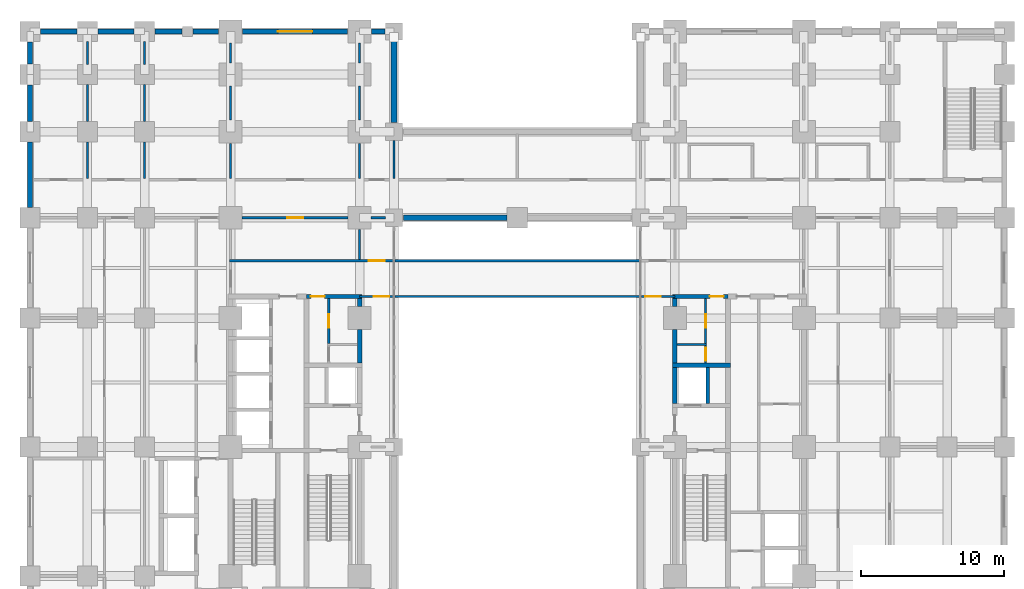
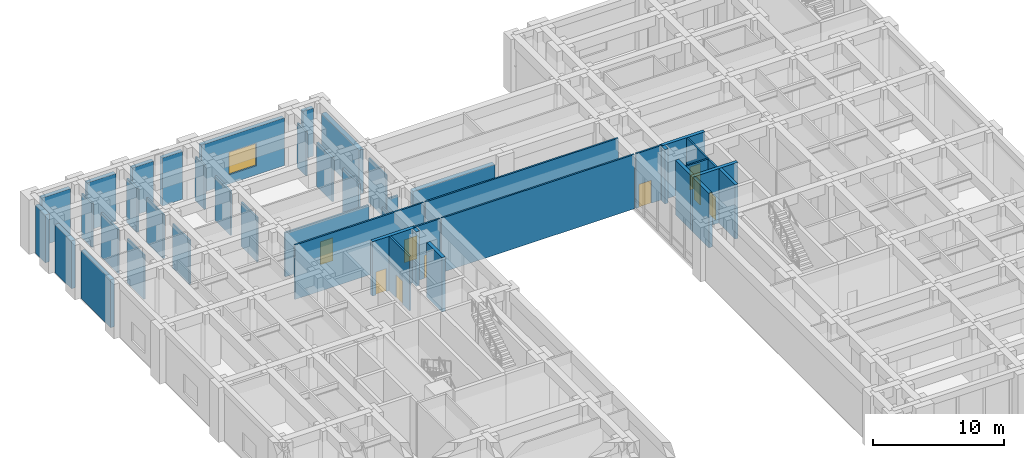
# One storey, part 12 of 21: 45 walls, 9 doors, 1 window, 10 openings.
"""IFC4 building model written with IfcOpenShell, lengths in metres."""

from ifc_helpers import new_model, si_unit, direction, frame, frame_2d, origin, place, context, subcontext, project, spatial, rectangle, extrude, material, layer, layer_set, type_object, element, fill, save


model = new_model("IFC4")

# Units and contexts
model_context = context("Model", 3, precision=1e-05, world=origin(), true_north=direction((0.0, 1.0)))
body_context = subcontext(model_context, "Body", "Model", "MODEL_VIEW")
ifc_project = project(units=[si_unit("LENGTHUNIT", "METRE"), si_unit("AREAUNIT", "SQUARE_METRE"), si_unit("VOLUMEUNIT", "CUBIC_METRE"), si_unit("PLANEANGLEUNIT", "RADIAN"), si_unit("MASSUNIT", "GRAM", prefix="KILO")], contexts=[model_context])

# Site, building, storey
site_placement = place(None, origin())
site = spatial("IfcSite", under=ifc_project, at=site_placement, CompositionType="ELEMENT")
building_placement = place(site_placement, origin())
building = spatial("IfcBuilding", under=site, at=building_placement, Name="Zulmaris Gate Convention Tower", CompositionType="ELEMENT")
storey_placement = place(building_placement, frame((0.0, 0.0, 5.43994140625)))
storey = spatial("IfcBuildingStorey", under=building, at=storey_placement, Name="L01", CompositionType="ELEMENT", Elevation=5.43994140625)

# Walls
ifc_material_1 = material(Name="Concrete C50/60", Category="concrete")
ifc_layer_1 = layer(ifc_material_1, 0.25, Name="Concrete C50/60")
ifc_layer_set_1 = layer_set([ifc_layer_1], Name="Concrete C50/60")
wall_type_1 = type_object("IfcWallType", Name="CORE-250", PredefinedType="SOLIDWALL", material=ifc_layer_set_1)
wall_1_placement = place(storey_placement, frame((13.300048828125, 3.052001953125, 0.0), z_axis=(0.0, 0.0, 1.0), x_axis=(0.0, 1.0, 0.0)))
element("IfcWall", 1, at=wall_1_placement, inside=storey, type_object=wall_type_1, Name="WL-L01-098", PredefinedType="SOLIDWALL", context=body_context, shape_type="SweptSolid", body=[
    extrude(rectangle(XDim=2.49609375, YDim=0.25, at=frame_2d((1.248046875, 0.0))), origin(), (0.0, 0.0, 1.0), 5.08984375),
])
ifc_layer_2 = layer(ifc_material_1, 0.300048828125, Name="Concrete C50/60")
ifc_layer_set_2 = layer_set([ifc_layer_2], Name="Concrete C50/60")
wall_type_2 = type_object("IfcWallType", Name="CORE-300", PredefinedType="SHEAR", material=ifc_layer_set_2)
wall_2_placement = place(storey_placement, frame((10.85009765625, 5.699951171875, 0.0), z_axis=(0.0, 0.0, 1.0), x_axis=(1.0, 0.0, 0.0)))
element("IfcWall", 2, at=wall_2_placement, inside=storey, type_object=wall_type_2, Name="WL-L01-021", PredefinedType="SHEAR", context=body_context, shape_type="SweptSolid", body=[
    extrude(rectangle(XDim=4.02490234375, YDim=0.300048828125, at=frame_2d((2.012451171875, 0.0))), origin(), (0.0, 0.0, 1.0), 5.08984375),
])

# Wall, opening, door
wall_3_placement = place(storey_placement, frame((-14.699951171875, 10.5, 0.0), z_axis=(0.0, 0.0, 1.0), x_axis=(1.0, 0.0, 0.0)))
wall_3 = element("IfcWall", 3, at=wall_3_placement, inside=storey, type_object=wall_type_2, Name="WL-L01-024", PredefinedType="SHEAR", context=body_context, shape_type="SweptSolid", body=[
    extrude(rectangle(XDim=3.849853515625, YDim=0.300048828125, at=frame_2d((1.9248046875, 0.0))), origin(), (0.0, 0.0, 1.0), 5.08984375),
])
opening_1_placement = place(wall_3_placement, frame((0.304931640625, 0.0, 0.0)))
opening_1 = element("IfcOpeningElement", 4, at=opening_1_placement, cuts=wall_3, Name="Opening D-11", PredefinedType="OPENING", context=body_context, shape_type="SweptSolid", body=[
    extrude(rectangle(XDim=0.949951171875, YDim=2.14990234375, at=frame_2d((0.47509765625, 1.074951171875))), frame((0.0, 0.16015625, 0.0), z_axis=(0.0, -1.0, 0.0), x_axis=(1.0, 0.0, 0.0)), (0.0, 0.0, 1.0), 0.320068359375),
])
ifc_material_2 = material(Name="Fire-Rated Timber", Category="wood")
door_type_1 = type_object("IfcDoorType", Name="DR-950-FD", OperationType="NOTDEFINED", PredefinedType="DOOR", material=ifc_material_2)
door_1_placement = place(opening_1_placement, origin())
door_1 = element("IfcDoor", 5, at=door_1_placement, inside=storey, type_object=door_type_1, Name="L01 Core West Passage Door 07", OperationType="SINGLE_SWING_LEFT", OverallHeight=2.14990234375, OverallWidth=0.949951171875, PredefinedType="DOOR", context=body_context, shape_type="SweptSolid", body=[
    extrude(rectangle(XDim=0.949951171875, YDim=2.14990234375, at=frame_2d((0.47509765625, 1.074951171875))), frame((0.0, 0.02490234375, 0.0), z_axis=(0.0, -1.0, 0.0), x_axis=(1.0, 0.0, 0.0)), (0.0, 0.0, 1.0), 0.050048828125),
])
fill(opening_1, door_1)

wall_4_placement = place(storey_placement, frame((10.85009765625, 10.5, 0.0), z_axis=(0.0, 0.0, 1.0), x_axis=(1.0, 0.0, 0.0)))
wall_4 = element("IfcWall", 6, at=wall_4_placement, inside=storey, type_object=wall_type_2, Name="WL-L01-025", PredefinedType="SHEAR", context=body_context, shape_type="SweptSolid", body=[
    extrude(rectangle(XDim=3.849853515625, YDim=0.300048828125, at=frame_2d((1.9248046875, 0.0))), origin(), (0.0, 0.0, 1.0), 5.08984375),
])
opening_2_placement = place(wall_4_placement, frame((2.594970703125, 0.0, 0.0)))
opening_2 = element("IfcOpeningElement", 7, at=opening_2_placement, cuts=wall_4, Name="Opening D-11", PredefinedType="OPENING", context=body_context, shape_type="SweptSolid", body=[
    extrude(rectangle(XDim=0.949951171875, YDim=2.14990234375, at=frame_2d((0.47509765625, 1.074951171875))), frame((0.0, 0.16015625, 0.0), z_axis=(0.0, -1.0, 0.0), x_axis=(1.0, 0.0, 0.0)), (0.0, 0.0, 1.0), 0.320068359375),
])
door_2_placement = place(opening_2_placement, origin())
door_2 = element("IfcDoor", 8, at=door_2_placement, inside=storey, type_object=door_type_1, Name="L01 Core East Passage Door 10", OperationType="SINGLE_SWING_RIGHT", OverallHeight=2.14990234375, OverallWidth=0.949951171875, PredefinedType="DOOR", context=body_context, shape_type="SweptSolid", body=[
    extrude(rectangle(XDim=0.949951171875, YDim=2.14990234375, at=frame_2d((0.47509765625, 1.074951171875))), frame((0.0, 0.02490234375, 0.0), z_axis=(0.0, -1.0, 0.0), x_axis=(1.0, 0.0, 0.0)), (0.0, 0.0, 1.0), 0.050048828125),
])
fill(opening_2, door_2)

# Walls
wall_5_placement = place(storey_placement, frame((-11.0, 5.85205078125, 0.0), z_axis=(0.0, 0.0, 1.0), x_axis=(0.0, 1.0, 0.0)))
element("IfcWall", 9, at=wall_5_placement, inside=storey, type_object=wall_type_2, Name="WL-L01-092", PredefinedType="SHEAR", context=body_context, shape_type="SweptSolid", body=[
    extrude(rectangle(XDim=2.343994140625, YDim=0.300048828125, at=frame_2d((1.171875, 0.0))), origin(), (0.0, 0.0, 1.0), 5.08984375),
])
wall_6_placement = place(storey_placement, frame((-11.0, 9.803955078125, 0.0), z_axis=(0.0, 0.0, 1.0), x_axis=(0.0, 1.0, 0.0)))
element("IfcWall", 10, at=wall_6_placement, inside=storey, type_object=wall_type_2, Name="WL-L01-092S1", PredefinedType="SHEAR", context=body_context, shape_type="SweptSolid", body=[
    extrude(rectangle(XDim=0.5439453125, YDim=0.300048828125, at=frame_2d((0.27197265625, 0.0))), origin(), (0.0, 0.0, 1.0), 5.08984375),
])
wall_7_placement = place(storey_placement, frame((11.0, 3.052001953125, 0.0), z_axis=(0.0, 0.0, 1.0), x_axis=(0.0, 1.0, 0.0)))
element("IfcWall", 11, at=wall_7_placement, inside=storey, type_object=wall_type_2, Name="WL-L01-095", PredefinedType="SHEAR", context=body_context, shape_type="SweptSolid", body=[
    extrude(rectangle(XDim=2.49609375, YDim=0.300048828125, at=frame_2d((1.248046875, 0.0))), origin(), (0.0, 0.0, 1.0), 5.08984375),
])
wall_8_placement = place(storey_placement, frame((11.0, 5.85205078125, 0.0), z_axis=(0.0, 0.0, 1.0), x_axis=(0.0, 1.0, 0.0)))
element("IfcWall", 12, at=wall_8_placement, inside=storey, type_object=wall_type_2, Name="WL-L01-096", PredefinedType="SHEAR", context=body_context, shape_type="SweptSolid", body=[
    extrude(rectangle(XDim=2.343994140625, YDim=0.300048828125, at=frame_2d((1.171875, 0.0))), origin(), (0.0, 0.0, 1.0), 5.08984375),
])
wall_9_placement = place(storey_placement, frame((11.0, 9.803955078125, 0.0), z_axis=(0.0, 0.0, 1.0), x_axis=(0.0, 1.0, 0.0)))
element("IfcWall", 13, at=wall_9_placement, inside=storey, type_object=wall_type_2, Name="WL-L01-096S1", PredefinedType="SHEAR", context=body_context, shape_type="SweptSolid", body=[
    extrude(rectangle(XDim=0.5439453125, YDim=0.300048828125, at=frame_2d((0.27197265625, 0.0))), origin(), (0.0, 0.0, 1.0), 5.08984375),
])
ifc_material_3 = material(Name="Gypsum Metal Stud Partition")
ifc_layer_3 = layer(ifc_material_3, 0.14990234375, Name="Gypsum Metal Stud Partition")
ifc_layer_set_3 = layer_set([ifc_layer_3], Name="Gypsum Metal Stud Partition")
wall_type_3 = type_object("IfcWallType", Name="PART-150", PredefinedType="PARTITIONING", material=ifc_layer_set_3)
wall_10_placement = place(storey_placement, frame((11.153076171875, 7.14990234375, 0.0), z_axis=(0.0, 0.0, 1.0), x_axis=(1.0, 0.0, 0.0)))
element("IfcWall", 14, at=wall_10_placement, inside=storey, type_object=wall_type_3, Name="WL-L01-048", PredefinedType="PARTITIONING", context=body_context, shape_type="SweptSolid", body=[
    extrude(rectangle(XDim=2.072021484375, YDim=0.14990234375, at=frame_2d((1.0361328125, 0.0))), origin(), (0.0, 0.0, 1.0), 5.08984375),
])

# Wall, opening, door
wall_11_placement = place(storey_placement, frame((-11.0, 10.5, 0.0), z_axis=(0.0, 0.0, 1.0), x_axis=(1.0, 0.0, 0.0)))
wall_11 = element("IfcWall", 15, at=wall_11_placement, inside=storey, type_object=wall_type_3, Name="WL-L01-051", PredefinedType="PARTITIONING", context=body_context, shape_type="SweptSolid", body=[
    extrude(rectangle(XDim=2.340087890625, YDim=0.14990234375, at=frame_2d((1.169921875, 0.0))), origin(), (0.0, 0.0, 1.0), 5.08984375),
])
opening_3_placement = place(wall_11_placement, frame((0.969970703125, 0.0, 0.0)))
opening_3 = element("IfcOpeningElement", 16, at=opening_3_placement, cuts=wall_11, Name="Opening D-08", PredefinedType="OPENING", context=body_context, shape_type="SweptSolid", body=[
    extrude(rectangle(XDim=1.10009765625, YDim=2.14990234375, at=frame_2d((0.550048828125, 1.074951171875))), frame((0.0, 0.0849609375, 0.0), z_axis=(0.0, -1.0, 0.0), x_axis=(1.0, 0.0, 0.0)), (0.0, 0.0, 1.0), 0.169921875),
])
ifc_material_4 = material(Name="Fire-Rated Steel", Category="steel")
door_type_2 = type_object("IfcDoorType", Name="DR-1100-FD", OperationType="NOTDEFINED", PredefinedType="DOOR", material=ifc_material_4)
door_3_placement = place(opening_3_placement, origin())
door_3 = element("IfcDoor", 17, at=door_3_placement, inside=storey, type_object=door_type_2, Name="L01 West Spine Core Door 42", OperationType="SINGLE_SWING_RIGHT", OverallHeight=2.14990234375, OverallWidth=1.10009765625, PredefinedType="DOOR", context=body_context, shape_type="SweptSolid", body=[
    extrude(rectangle(XDim=1.10009765625, YDim=2.14990234375, at=frame_2d((0.550048828125, 1.074951171875))), frame((0.0, 0.02490234375, 0.0), z_axis=(0.0, -1.0, 0.0), x_axis=(1.0, 0.0, 0.0)), (0.0, 0.0, 1.0), 0.050048828125),
])
fill(opening_3, door_3)

# Wall
wall_12_placement = place(storey_placement, frame((-8.5400390625, 10.5, 0.0), z_axis=(0.0, 0.0, 1.0), x_axis=(1.0, 0.0, 0.0)))
element("IfcWall", 18, at=wall_12_placement, inside=storey, type_object=wall_type_3, Name="WL-L01-052", PredefinedType="PARTITIONING", context=body_context, shape_type="SweptSolid", body=[
    extrude(rectangle(XDim=17.080078125, YDim=0.14990234375, at=frame_2d((8.5400390625, 0.0))), origin(), (0.0, 0.0, 1.0), 5.08984375),
])

# Wall, opening, door
wall_13_placement = place(storey_placement, frame((8.659912109375, 10.5, 0.0), z_axis=(0.0, 0.0, 1.0), x_axis=(1.0, 0.0, 0.0)))
wall_13 = element("IfcWall", 19, at=wall_13_placement, inside=storey, type_object=wall_type_3, Name="WL-L01-053", PredefinedType="PARTITIONING", context=body_context, shape_type="SweptSolid", body=[
    extrude(rectangle(XDim=2.340087890625, YDim=0.14990234375, at=frame_2d((1.169921875, 0.0))), origin(), (0.0, 0.0, 1.0), 5.08984375),
])
opening_4_placement = place(wall_13_placement, frame((0.27001953125, 0.0, 0.0)))
opening_4 = element("IfcOpeningElement", 20, at=opening_4_placement, cuts=wall_13, Name="Opening D-08", PredefinedType="OPENING", context=body_context, shape_type="SweptSolid", body=[
    extrude(rectangle(XDim=1.10009765625, YDim=2.14990234375, at=frame_2d((0.550048828125, 1.074951171875))), frame((0.0, 0.0849609375, 0.0), z_axis=(0.0, -1.0, 0.0), x_axis=(1.0, 0.0, 0.0)), (0.0, 0.0, 1.0), 0.169921875),
])
door_4_placement = place(opening_4_placement, origin())
door_4 = element("IfcDoor", 21, at=door_4_placement, inside=storey, type_object=door_type_2, Name="L01 East Spine Core Door 43", OperationType="SINGLE_SWING_LEFT", OverallHeight=2.14990234375, OverallWidth=1.10009765625, PredefinedType="DOOR", context=body_context, shape_type="SweptSolid", body=[
    extrude(rectangle(XDim=1.10009765625, YDim=2.14990234375, at=frame_2d((0.550048828125, 1.074951171875))), frame((0.0, 0.02490234375, 0.0), z_axis=(0.0, -1.0, 0.0), x_axis=(1.0, 0.0, 0.0)), (0.0, 0.0, 1.0), 0.050048828125),
])
fill(opening_4, door_4)

wall_14_placement = place(storey_placement, frame((-20.074951171875, 13.0, 0.0), z_axis=(0.0, 0.0, 1.0), x_axis=(1.0, 0.0, 0.0)))
wall_14 = element("IfcWall", 22, at=wall_14_placement, inside=storey, type_object=wall_type_3, Name="WL-L01-054", PredefinedType="PARTITIONING", context=body_context, shape_type="SweptSolid", body=[
    extrude(rectangle(XDim=11.4150390625, YDim=0.14990234375, at=frame_2d((5.70751953125, 0.0))), origin(), (0.0, 0.0, 1.0), 5.08984375),
])
opening_5_placement = place(wall_14_placement, frame((9.72509765625, 0.0, 0.0)))
opening_5 = element("IfcOpeningElement", 23, at=opening_5_placement, cuts=wall_14, Name="Opening D-08", PredefinedType="OPENING", context=body_context, shape_type="SweptSolid", body=[
    extrude(rectangle(XDim=1.10009765625, YDim=2.14990234375, at=frame_2d((0.550048828125, 1.074951171875))), frame((0.0, 0.0849609375, 0.0), z_axis=(0.0, -1.0, 0.0), x_axis=(1.0, 0.0, 0.0)), (0.0, 0.0, 1.0), 0.169921875),
])
door_5_placement = place(opening_5_placement, origin())
door_5 = element("IfcDoor", 24, at=door_5_placement, inside=storey, type_object=door_type_2, Name="L01 West Spine North Door 40", OperationType="SINGLE_SWING_RIGHT", OverallHeight=2.14990234375, OverallWidth=1.10009765625, PredefinedType="DOOR", context=body_context, shape_type="SweptSolid", body=[
    extrude(rectangle(XDim=1.10009765625, YDim=2.14990234375, at=frame_2d((0.550048828125, 1.074951171875))), frame((0.0, 0.02490234375, 0.0), z_axis=(0.0, -1.0, 0.0), x_axis=(1.0, 0.0, 0.0)), (0.0, 0.0, 1.0), 0.050048828125),
])
fill(opening_5, door_5)

# Wall
wall_15_placement = place(storey_placement, frame((-8.5400390625, 13.0, 0.0), z_axis=(0.0, 0.0, 1.0), x_axis=(1.0, 0.0, 0.0)))
element("IfcWall", 25, at=wall_15_placement, inside=storey, type_object=wall_type_3, Name="WL-L01-055", PredefinedType="PARTITIONING", context=body_context, shape_type="SweptSolid", body=[
    extrude(rectangle(XDim=17.080078125, YDim=0.14990234375, at=frame_2d((8.5400390625, 0.0))), origin(), (0.0, 0.0, 1.0), 5.08984375),
])

# Wall, opening, door
wall_16_placement = place(storey_placement, frame((-19.194091796875, 16.0, 0.0), z_axis=(0.0, 0.0, 1.0), x_axis=(1.0, 0.0, 0.0)))
wall_16 = element("IfcWall", 26, at=wall_16_placement, inside=storey, type_object=wall_type_3, Name="WL-L01-059", PredefinedType="PARTITIONING", context=body_context, shape_type="SweptSolid", body=[
    extrude(rectangle(XDim=7.38818359375, YDim=0.14990234375, at=frame_2d((3.694091796875, 0.0))), origin(), (0.0, 0.0, 1.0), 4.132080078125),
])
opening_6_placement = place(wall_16_placement, frame((3.14404296875, 0.0, 0.0)))
opening_6 = element("IfcOpeningElement", 27, at=opening_6_placement, cuts=wall_16, Name="Opening D-21", PredefinedType="OPENING", context=body_context, shape_type="SweptSolid", body=[
    extrude(rectangle(XDim=1.10009765625, YDim=2.14990234375, at=frame_2d((0.550048828125, 1.074951171875))), frame((0.0, 0.0849609375, 0.0), z_axis=(0.0, -1.0, 0.0), x_axis=(1.0, 0.0, 0.0)), (0.0, 0.0, 1.0), 0.169921875),
])
ifc_material_5 = material(Name="Acoustic Hardwood Timber", Category="wood")
door_type_3 = type_object("IfcDoorType", Name="DR-1100", OperationType="NOTDEFINED", PredefinedType="DOOR", material=ifc_material_5)
door_6_placement = place(opening_6_placement, origin())
door_6 = element("IfcDoor", 28, at=door_6_placement, inside=storey, type_object=door_type_3, Name="L01 NW Breakout Salon Door 32", OperationType="SINGLE_SWING_RIGHT", OverallHeight=2.14990234375, OverallWidth=1.10009765625, PredefinedType="DOOR", context=body_context, shape_type="SweptSolid", body=[
    extrude(rectangle(XDim=1.10009765625, YDim=2.14990234375, at=frame_2d((0.550048828125, 1.074951171875))), frame((0.0, 0.02490234375, 0.0), z_axis=(0.0, -1.0, 0.0), x_axis=(1.0, 0.0, 0.0)), (0.0, 0.0, 1.0), 0.050048828125),
])
fill(opening_6, door_6)

# Walls
wall_17_placement = place(storey_placement, frame((-10.194091796875, 16.0, 0.0), z_axis=(0.0, 0.0, 1.0), x_axis=(1.0, 0.0, 0.0)))
element("IfcWall", 29, at=wall_17_placement, inside=storey, type_object=wall_type_3, Name="WL-L01-060", PredefinedType="PARTITIONING", context=body_context, shape_type="SweptSolid", body=[
    extrude(rectangle(XDim=0.988037109375, YDim=0.14990234375, at=frame_2d((0.494140625, 0.0))), origin(), (0.0, 0.0, 1.0), 4.132080078125),
])
wall_18_placement = place(storey_placement, frame((-30.0, 18.72802734375, 0.0), z_axis=(0.0, 0.0, 1.0), x_axis=(0.0, 1.0, 0.0)))
element("IfcWall", 30, at=wall_18_placement, inside=storey, type_object=wall_type_3, Name="WL-L01-110", PredefinedType="PARTITIONING", context=body_context, shape_type="SweptSolid", body=[
    extrude(rectangle(XDim=2.56591796875, YDim=0.14990234375, at=frame_2d((1.282958984375, 0.0))), origin(), (0.0, 0.0, 1.0), 4.132080078125),
])
wall_19_placement = place(storey_placement, frame((-30.0, 22.7060546875, 0.0), z_axis=(0.0, 0.0, 1.0), x_axis=(0.0, 1.0, 0.0)))
element("IfcWall", 31, at=wall_19_placement, inside=storey, type_object=wall_type_3, Name="WL-L01-110S1", PredefinedType="PARTITIONING", context=body_context, shape_type="SweptSolid", body=[
    extrude(rectangle(XDim=2.587890625, YDim=0.14990234375, at=frame_2d((1.2939453125, 0.0))), origin(), (0.0, 0.0, 1.0), 4.132080078125),
])
wall_20_placement = place(storey_placement, frame((-30.0, 26.7060546875, 0.0), z_axis=(0.0, 0.0, 1.0), x_axis=(0.0, 1.0, 0.0)))
element("IfcWall", 32, at=wall_20_placement, inside=storey, type_object=wall_type_3, Name="WL-L01-110S2", PredefinedType="PARTITIONING", context=body_context, shape_type="SweptSolid", body=[
    extrude(rectangle(XDim=1.587890625, YDim=0.14990234375, at=frame_2d((0.7939453125, 0.0))), origin(), (0.0, 0.0, 1.0), 4.132080078125),
])
wall_21_placement = place(storey_placement, frame((-26.0, 18.72802734375, 0.0), z_axis=(0.0, 0.0, 1.0), x_axis=(0.0, 1.0, 0.0)))
element("IfcWall", 33, at=wall_21_placement, inside=storey, type_object=wall_type_3, Name="WL-L01-120", PredefinedType="PARTITIONING", context=body_context, shape_type="SweptSolid", body=[
    extrude(rectangle(XDim=2.56591796875, YDim=0.14990234375, at=frame_2d((1.282958984375, 0.0))), origin(), (0.0, 0.0, 1.0), 4.132080078125),
])
wall_22_placement = place(storey_placement, frame((-26.0, 22.7060546875, 0.0), z_axis=(0.0, 0.0, 1.0), x_axis=(0.0, 1.0, 0.0)))
element("IfcWall", 34, at=wall_22_placement, inside=storey, type_object=wall_type_3, Name="WL-L01-120S1", PredefinedType="PARTITIONING", context=body_context, shape_type="SweptSolid", body=[
    extrude(rectangle(XDim=2.587890625, YDim=0.14990234375, at=frame_2d((1.2939453125, 0.0))), origin(), (0.0, 0.0, 1.0), 4.132080078125),
])
wall_23_placement = place(storey_placement, frame((-26.0, 26.7060546875, 0.0), z_axis=(0.0, 0.0, 1.0), x_axis=(0.0, 1.0, 0.0)))
element("IfcWall", 35, at=wall_23_placement, inside=storey, type_object=wall_type_3, Name="WL-L01-120S2", PredefinedType="PARTITIONING", context=body_context, shape_type="SweptSolid", body=[
    extrude(rectangle(XDim=1.587890625, YDim=0.14990234375, at=frame_2d((0.7939453125, 0.0))), origin(), (0.0, 0.0, 1.0), 4.132080078125),
])
wall_24_placement = place(storey_placement, frame((-20.0, 18.72802734375, 0.0), z_axis=(0.0, 0.0, 1.0), x_axis=(0.0, 1.0, 0.0)))
element("IfcWall", 36, at=wall_24_placement, inside=storey, type_object=wall_type_3, Name="WL-L01-128", PredefinedType="PARTITIONING", context=body_context, shape_type="SweptSolid", body=[
    extrude(rectangle(XDim=2.466064453125, YDim=0.14990234375, at=frame_2d((1.23291015625, 0.0))), origin(), (0.0, 0.0, 1.0), 4.132080078125),
])
wall_25_placement = place(storey_placement, frame((-20.0, 22.805908203125, 0.0), z_axis=(0.0, 0.0, 1.0), x_axis=(0.0, 1.0, 0.0)))
element("IfcWall", 37, at=wall_25_placement, inside=storey, type_object=wall_type_3, Name="WL-L01-128S1", PredefinedType="PARTITIONING", context=body_context, shape_type="SweptSolid", body=[
    extrude(rectangle(XDim=2.38818359375, YDim=0.14990234375, at=frame_2d((1.194091796875, 0.0))), origin(), (0.0, 0.0, 1.0), 4.132080078125),
])
wall_26_placement = place(storey_placement, frame((-20.0, 26.805908203125, 0.0), z_axis=(0.0, 0.0, 1.0), x_axis=(0.0, 1.0, 0.0)))
element("IfcWall", 38, at=wall_26_placement, inside=storey, type_object=wall_type_3, Name="WL-L01-128S2", PredefinedType="PARTITIONING", context=body_context, shape_type="SweptSolid", body=[
    extrude(rectangle(XDim=1.38818359375, YDim=0.14990234375, at=frame_2d((0.694091796875, 0.0))), origin(), (0.0, 0.0, 1.0), 4.132080078125),
])

# Wall, opening, door
wall_27_placement = place(storey_placement, frame((-13.14990234375, 7.22802734375, 0.0), z_axis=(0.0, 0.0, 1.0), x_axis=(0.0, 1.0, 0.0)))
wall_27 = element("IfcWall", 39, at=wall_27_placement, inside=storey, type_object=wall_type_3, Name="WL-L01-130", PredefinedType="PARTITIONING", context=body_context, shape_type="SweptSolid", body=[
    extrude(rectangle(XDim=3.118896484375, YDim=0.14990234375, at=frame_2d((1.5595703125, 0.0))), origin(), (0.0, 0.0, 1.0), 5.08984375),
])
opening_7_placement = place(wall_27_placement, frame((1.096923828125, 0.0, 0.0)))
opening_7 = element("IfcOpeningElement", 40, at=opening_7_placement, cuts=wall_27, Name="Opening D-11", PredefinedType="OPENING", context=body_context, shape_type="SweptSolid", body=[
    extrude(rectangle(XDim=0.949951171875, YDim=2.14990234375, at=frame_2d((0.47509765625, 1.074951171875))), frame((0.0, 0.0849609375, 0.0), z_axis=(0.0, -1.0, 0.0), x_axis=(1.0, 0.0, 0.0)), (0.0, 0.0, 1.0), 0.169921875),
])
door_7_placement = place(opening_7_placement, origin())
door_7 = element("IfcDoor", 41, at=door_7_placement, inside=storey, type_object=door_type_1, Name="L01 Meter Closet Door 09", OperationType="SINGLE_SWING_LEFT", OverallHeight=2.14990234375, OverallWidth=0.949951171875, PredefinedType="DOOR", context=body_context, shape_type="SweptSolid", body=[
    extrude(rectangle(XDim=0.949951171875, YDim=2.14990234375, at=frame_2d((0.47509765625, 1.074951171875))), frame((0.0, 0.02490234375, 0.0), z_axis=(0.0, -1.0, 0.0), x_axis=(1.0, 0.0, 0.0)), (0.0, 0.0, 1.0), 0.050048828125),
])
fill(opening_7, door_7)

# Walls
wall_28_placement = place(storey_placement, frame((-11.0, 13.077880859375, 0.0), z_axis=(0.0, 0.0, 1.0), x_axis=(0.0, 1.0, 0.0)))
element("IfcWall", 42, at=wall_28_placement, inside=storey, type_object=wall_type_3, Name="WL-L01-132", PredefinedType="PARTITIONING", context=body_context, shape_type="SweptSolid", body=[
    extrude(rectangle(XDim=2.1162109375, YDim=0.14990234375, at=frame_2d((1.05810546875, 0.0))), origin(), (0.0, 0.0, 1.0), 4.132080078125),
])
wall_29_placement = place(storey_placement, frame((-11.0, 18.72802734375, 0.0), z_axis=(0.0, 0.0, 1.0), x_axis=(0.0, 1.0, 0.0)))
element("IfcWall", 43, at=wall_29_placement, inside=storey, type_object=wall_type_3, Name="WL-L01-133", PredefinedType="PARTITIONING", context=body_context, shape_type="SweptSolid", body=[
    extrude(rectangle(XDim=2.466064453125, YDim=0.14990234375, at=frame_2d((1.23291015625, 0.0))), origin(), (0.0, 0.0, 1.0), 4.132080078125),
])
wall_30_placement = place(storey_placement, frame((-11.0, 22.805908203125, 0.0), z_axis=(0.0, 0.0, 1.0), x_axis=(0.0, 1.0, 0.0)))
element("IfcWall", 44, at=wall_30_placement, inside=storey, type_object=wall_type_3, Name="WL-L01-133S1", PredefinedType="PARTITIONING", context=body_context, shape_type="SweptSolid", body=[
    extrude(rectangle(XDim=2.38818359375, YDim=0.14990234375, at=frame_2d((1.194091796875, 0.0))), origin(), (0.0, 0.0, 1.0), 4.132080078125),
])
wall_31_placement = place(storey_placement, frame((-11.0, 26.805908203125, 0.0), z_axis=(0.0, 0.0, 1.0), x_axis=(0.0, 1.0, 0.0)))
element("IfcWall", 45, at=wall_31_placement, inside=storey, type_object=wall_type_3, Name="WL-L01-133S2", PredefinedType="PARTITIONING", context=body_context, shape_type="SweptSolid", body=[
    extrude(rectangle(XDim=1.38818359375, YDim=0.14990234375, at=frame_2d((0.694091796875, 0.0))), origin(), (0.0, 0.0, 1.0), 4.132080078125),
])
wall_32_placement = place(storey_placement, frame((-8.60009765625, 18.72802734375, 0.0), z_axis=(0.0, 0.0, 1.0), x_axis=(0.0, 1.0, 0.0)))
element("IfcWall", 46, at=wall_32_placement, inside=storey, type_object=wall_type_3, Name="WL-L01-134", PredefinedType="PARTITIONING", context=body_context, shape_type="SweptSolid", body=[
    extrude(rectangle(XDim=2.666015625, YDim=0.14990234375, at=frame_2d((1.3330078125, 0.0))), origin(), (0.0, 0.0, 1.0), 4.132080078125),
])

# Wall, opening, door
wall_33_placement = place(storey_placement, frame((13.14990234375, 5.85302734375, 0.0), z_axis=(0.0, 0.0, 1.0), x_axis=(0.0, 1.0, 0.0)))
wall_33 = element("IfcWall", 47, at=wall_33_placement, inside=storey, type_object=wall_type_3, Name="WL-L01-141", PredefinedType="PARTITIONING", context=body_context, shape_type="SweptSolid", body=[
    extrude(rectangle(XDim=1.218994140625, YDim=0.14990234375, at=frame_2d((0.609375, 0.0))), origin(), (0.0, 0.0, 1.0), 5.08984375),
])
opening_8_placement = place(wall_33_placement, frame((0.1689453125, 0.0, 0.0)))
opening_8 = element("IfcOpeningElement", 48, at=opening_8_placement, cuts=wall_33, Name="Opening D-12", PredefinedType="OPENING", context=body_context, shape_type="SweptSolid", body=[
    extrude(rectangle(XDim=0.89990234375, YDim=2.14990234375, at=frame_2d((0.449951171875, 1.074951171875))), frame((0.0, 0.0849609375, 0.0), z_axis=(0.0, -1.0, 0.0), x_axis=(1.0, 0.0, 0.0)), (0.0, 0.0, 1.0), 0.169921875),
])
door_type_4 = type_object("IfcDoorType", Name="DR-900-FD", OperationType="NOTDEFINED", PredefinedType="DOOR", material=ifc_material_2)
door_8_placement = place(opening_8_placement, origin())
door_8 = element("IfcDoor", 49, at=door_8_placement, inside=storey, type_object=door_type_4, Name="L01 Core Staff WC Door 11", OperationType="SINGLE_SWING_LEFT", OverallHeight=2.14990234375, OverallWidth=0.89990234375, PredefinedType="DOOR", context=body_context, shape_type="SweptSolid", body=[
    extrude(rectangle(XDim=0.89990234375, YDim=2.14990234375, at=frame_2d((0.449951171875, 1.074951171875))), frame((0.0, 0.02490234375, 0.0), z_axis=(0.0, -1.0, 0.0), x_axis=(1.0, 0.0, 0.0)), (0.0, 0.0, 1.0), 0.050048828125),
])
fill(opening_8, door_8)

wall_34_placement = place(storey_placement, frame((13.14990234375, 7.22802734375, 0.0), z_axis=(0.0, 0.0, 1.0), x_axis=(0.0, 1.0, 0.0)))
wall_34 = element("IfcWall", 50, at=wall_34_placement, inside=storey, type_object=wall_type_3, Name="WL-L01-142", PredefinedType="PARTITIONING", context=body_context, shape_type="SweptSolid", body=[
    extrude(rectangle(XDim=3.118896484375, YDim=0.14990234375, at=frame_2d((1.5595703125, 0.0))), origin(), (0.0, 0.0, 1.0), 5.08984375),
])
opening_9_placement = place(wall_34_placement, frame((1.096923828125, 0.0, 0.0)))
opening_9 = element("IfcOpeningElement", 51, at=opening_9_placement, cuts=wall_34, Name="Opening D-11", PredefinedType="OPENING", context=body_context, shape_type="SweptSolid", body=[
    extrude(rectangle(XDim=0.949951171875, YDim=2.14990234375, at=frame_2d((0.47509765625, 1.074951171875))), frame((0.0, 0.0849609375, 0.0), z_axis=(0.0, -1.0, 0.0), x_axis=(1.0, 0.0, 0.0)), (0.0, 0.0, 1.0), 0.169921875),
])
door_9_placement = place(opening_9_placement, origin())
door_9 = element("IfcDoor", 52, at=door_9_placement, inside=storey, type_object=door_type_1, Name="L01 Core Hygiene Store Door 12", OperationType="SINGLE_SWING_RIGHT", OverallHeight=2.14990234375, OverallWidth=0.949951171875, PredefinedType="DOOR", context=body_context, shape_type="SweptSolid", body=[
    extrude(rectangle(XDim=0.949951171875, YDim=2.14990234375, at=frame_2d((0.47509765625, 1.074951171875))), frame((0.0, 0.02490234375, 0.0), z_axis=(0.0, -1.0, 0.0), x_axis=(1.0, 0.0, 0.0)), (0.0, 0.0, 1.0), 0.050048828125),
])
fill(opening_9, door_9)

# Walls
ifc_material_6 = material(Name="Precast concrete C50/60", Category="concrete")
ifc_layer_4 = layer(ifc_material_6, 0.39990234375, Name="Precast concrete C50/60")
ifc_layer_set_4 = layer_set([ifc_layer_4], Name="Precast concrete C50/60")
wall_type_4 = type_object("IfcWallType", Name="PRECAST-ARCH-400", PredefinedType="STANDARD", material=ifc_layer_set_4)
wall_35_placement = place(storey_placement, frame((-7.949951171875, 16.0, 0.0), z_axis=(0.0, 0.0, 1.0), x_axis=(1.0, 0.0, 0.0)))
element("IfcWall", 53, at=wall_35_placement, inside=storey, type_object=wall_type_4, Name="EW-L01-ARCH-N_0", PredefinedType="STANDARD", context=body_context, shape_type="SweptSolid", body=[
    extrude(rectangle(XDim=7.219970703125, YDim=0.39990234375, at=frame_2d((3.60986328125, 0.0))), origin(), (0.0, 0.0, 1.0), 4.132080078125),
])
wall_36_placement = place(storey_placement, frame((-8.60009765625, 22.6298828125, 0.0), z_axis=(0.0, 0.0, 1.0), x_axis=(0.0, 1.0, 0.0)))
element("IfcWall", 54, at=wall_36_placement, inside=storey, type_object=wall_type_4, Name="EW-L01-ARCH-NWS_0", PredefinedType="STANDARD", context=body_context, shape_type="SweptSolid", body=[
    extrude(rectangle(XDim=5.72021484375, YDim=0.39990234375, at=frame_2d((2.860107421875, 0.0))), origin(), (0.0, 0.0, 1.0), 4.132080078125),
])
ifc_material_7 = material(Name="Precast concrete C45/55", Category="concrete")
ifc_layer_5 = layer(ifc_material_7, 0.35009765625, Name="Precast concrete C45/55")
ifc_layer_set_5 = layer_set([ifc_layer_5], Name="Precast concrete C45/55")
wall_type_5 = type_object("IfcWallType", Name="PRECAST-POD-350", PredefinedType="STANDARD", material=ifc_layer_set_5)
for number, where, z_axis, x_axis, name in (
    (55, (-30.72998046875, 29.0, 0.0), (0.0, 0.0, 1.0), (-1.0, 0.0, 0.0), "EW-L01-N--340_0"),
    (56, (-26.72998046875, 29.0, 0.0), (0.0, 0.0, 1.0), (-1.0, 0.0, 0.0), "EW-L01-N--300_0"),
):
    element("IfcWall", number, at=place(storey_placement, frame(where, z_axis=z_axis, x_axis=x_axis)), inside=storey, type_object=wall_type_5, Name=name, PredefinedType="STANDARD", context=body_context, shape_type="SweptSolid", body=[
        extrude(rectangle(XDim=2.5400390625, YDim=0.35009765625, at=frame_2d((1.27001953125, 0.0))), origin(), (0.0, 0.0, 1.0), 4.48193359375),
    ])
wall_37_placement = place(storey_placement, frame((-23.3798828125, 29.0, 0.0), z_axis=(0.0, 0.0, 1.0), x_axis=(-1.0, 0.0, 0.0)))
element("IfcWall", 57, at=wall_37_placement, inside=storey, type_object=wall_type_5, Name="EW-L01-N--260_0", PredefinedType="STANDARD", context=body_context, shape_type="SweptSolid", body=[
    extrude(rectangle(XDim=1.89013671875, YDim=0.35009765625, at=frame_2d((0.945068359375, 0.0))), origin(), (0.0, 0.0, 1.0), 4.48193359375),
])
wall_38_placement = place(storey_placement, frame((-20.830078125, 29.0, 0.0), z_axis=(0.0, 0.0, 1.0), x_axis=(-1.0, 0.0, 0.0)))
element("IfcWall", 58, at=wall_38_placement, inside=storey, type_object=wall_type_5, Name="EW-L01-N--230_0", PredefinedType="STANDARD", context=body_context, shape_type="SweptSolid", body=[
    extrude(rectangle(XDim=1.7900390625, YDim=0.35009765625, at=frame_2d((0.89501953125, 0.0))), origin(), (0.0, 0.0, 1.0), 4.48193359375),
])

# Wall, opening, window
wall_39_placement = place(storey_placement, frame((-11.830078125, 29.0, 0.0), z_axis=(0.0, 0.0, 1.0), x_axis=(-1.0, 0.0, 0.0)))
wall_39 = element("IfcWall", 59, at=wall_39_placement, inside=storey, type_object=wall_type_5, Name="EW-L01-N--200_0", PredefinedType="STANDARD", context=body_context, shape_type="SweptSolid", body=[
    extrude(rectangle(XDim=7.33984375, YDim=0.35009765625, at=frame_2d((3.669921875, 0.0))), origin(), (0.0, 0.0, 1.0), 4.48193359375),
])
opening_10_placement = place(wall_39_placement, frame((2.469970703125, 0.0, 0.85009765625)))
opening_10 = element("IfcOpeningElement", 60, at=opening_10_placement, cuts=wall_39, Name="Opening W-01", PredefinedType="OPENING", context=body_context, shape_type="SweptSolid", body=[
    extrude(rectangle(XDim=2.39990234375, YDim=2.10009765625, at=frame_2d((1.199951171875, 1.050048828125))), frame((0.0, 0.18505859375, 0.0), z_axis=(0.0, -1.0, 0.0), x_axis=(1.0, 0.0, 0.0)), (0.0, 0.0, 1.0), 0.3701171875),
])
ifc_material_8 = material(Name="Low-E Laminated Double Glazing in Aluminium Frame", Category="aluminium")
window_type = type_object("IfcWindowType", Name="WIN-2400x2200", PartitioningType="SINGLE_PANEL", PredefinedType="WINDOW", material=ifc_material_8)
window_placement = place(opening_10_placement, origin())
window = element("IfcWindow", 61, at=window_placement, inside=storey, type_object=window_type, Name="WN-EW-L01-N--200_0", OverallHeight=2.10009765625, OverallWidth=2.39990234375, PartitioningType="SINGLE_PANEL", PredefinedType="WINDOW", context=body_context, shape_type="SweptSolid", body=[
    extrude(rectangle(XDim=2.39990234375, YDim=2.10009765625, at=frame_2d((1.199951171875, 1.050048828125))), frame((0.0, 0.030029296875, 0.0), z_axis=(0.0, -1.0, 0.0), x_axis=(1.0, 0.0, 0.0)), (0.0, 0.0, 1.0), 0.06005859375),
])
fill(opening_10, window)

# Walls
wall_40_placement = place(storey_placement, frame((-9.22998046875, 29.0, 0.0), z_axis=(0.0, 0.0, 1.0), x_axis=(-1.0, 0.0, 0.0)))
element("IfcWall", 62, at=wall_40_placement, inside=storey, type_object=wall_type_5, Name="EW-L01-N--110_0", PredefinedType="STANDARD", context=body_context, shape_type="SweptSolid", body=[
    extrude(rectangle(XDim=0.93994140625, YDim=0.35009765625, at=frame_2d((0.469970703125, 0.0))), origin(), (0.0, 0.0, 1.0), 4.48193359375),
])
wall_41_placement = place(storey_placement, frame((-34.0, 16.72998046875, 0.0), z_axis=(0.0, 0.0, 1.0), x_axis=(0.0, 1.0, 0.0)))
element("IfcWall", 63, at=wall_41_placement, inside=storey, type_object=wall_type_5, Name="EW-L01-W-16_0", PredefinedType="STANDARD", context=body_context, shape_type="SweptSolid", body=[
    extrude(rectangle(XDim=4.5400390625, YDim=0.35009765625, at=frame_2d((2.27001953125, 0.0))), origin(), (0.0, 0.0, 1.0), 4.48193359375),
])
wall_42_placement = place(storey_placement, frame((-34.0, 22.72998046875, 0.0), z_axis=(0.0, 0.0, 1.0), x_axis=(0.0, 1.0, 0.0)))
element("IfcWall", 64, at=wall_42_placement, inside=storey, type_object=wall_type_5, Name="EW-L01-W-22_0", PredefinedType="STANDARD", context=body_context, shape_type="SweptSolid", body=[
    extrude(rectangle(XDim=2.5400390625, YDim=0.35009765625, at=frame_2d((1.27001953125, 0.0))), origin(), (0.0, 0.0, 1.0), 4.48193359375),
])
wall_43_placement = place(storey_placement, frame((-34.0, 26.72998046875, 0.0), z_axis=(0.0, 0.0, 1.0), x_axis=(0.0, 1.0, 0.0)))
element("IfcWall", 65, at=wall_43_placement, inside=storey, type_object=wall_type_5, Name="EW-L01-W-26_0", PredefinedType="STANDARD", context=body_context, shape_type="SweptSolid", body=[
    extrude(rectangle(XDim=1.5400390625, YDim=0.35009765625, at=frame_2d((0.77001953125, 0.0))), origin(), (0.0, 0.0, 1.0), 4.48193359375),
])

save(model, "model.ifc")
